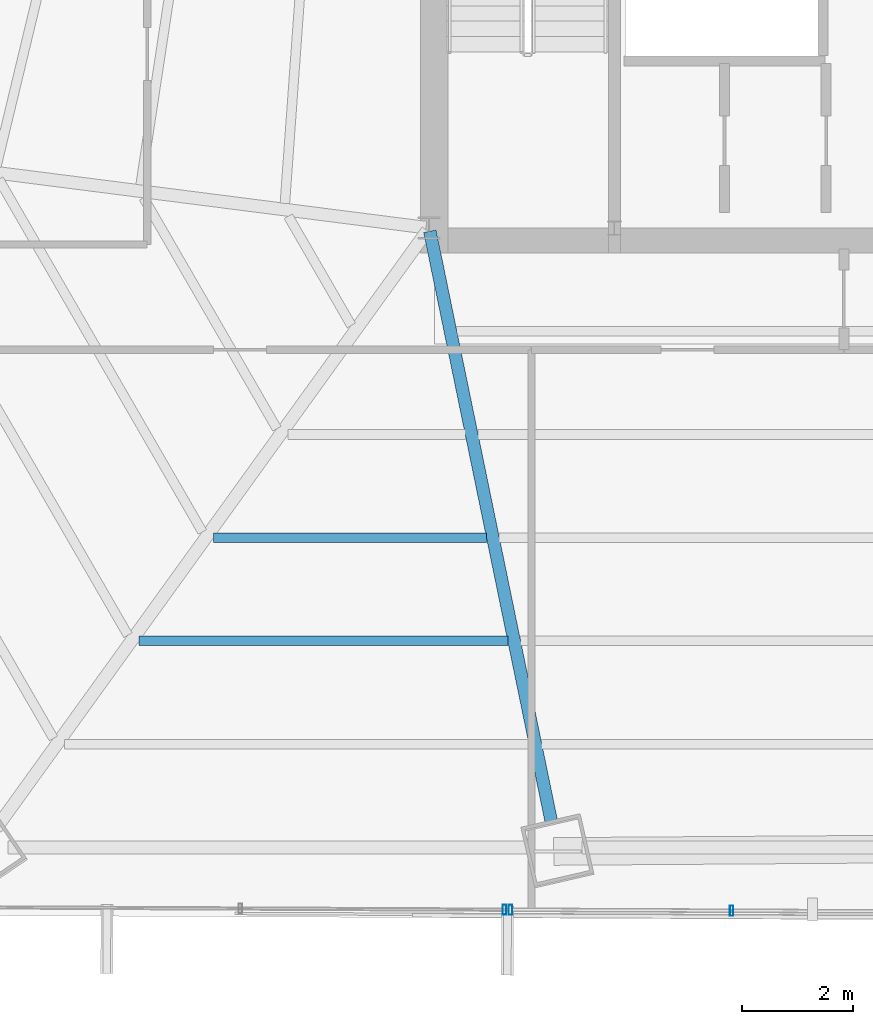
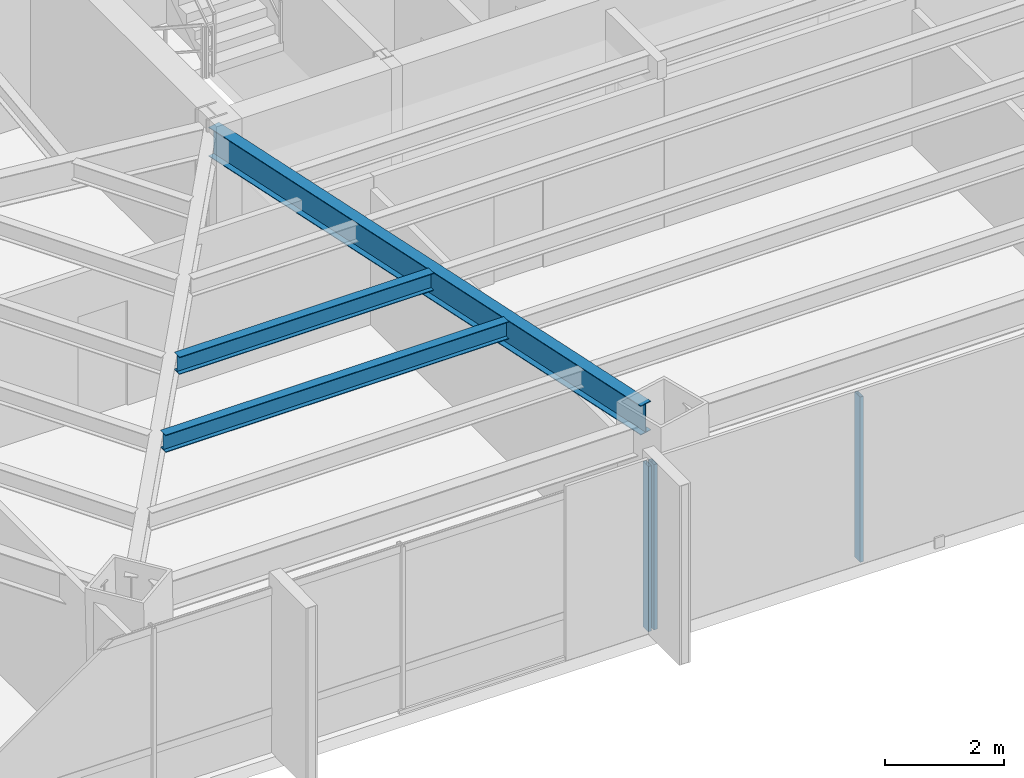
# One storey, part 9 of 35: 3 beams, 3 members, 2 elements without a shape of their own.
"""IFC4 building model written with IfcOpenShell, lengths in metres."""

import ifcopenshell
import ifcopenshell.guid

model = None  # the IFC model being written
_history = None  # IfcOwnerHistory: only IFC2X3 demands one
_inside = {}  # id of a spatial element -> (the spatial element, [elements in it])
_under = {}  # id of a project, library or spatial element -> (it, [spatial elements below it])
_declared = {}  # id of a project -> (the project, [libraries it declares])
_typed = {}  # id of a type object -> (the type object, [elements of that type])
_made_of = {}  # id of a material, layer set ... -> (it, [elements and type objects made of it])


def new_model(schema):
    """Start an empty IFC model of exactly this schema.

    Asked for "IFC4X3", IfcOpenShell would pick the latest addendum, in which some entities
    have other attributes; the version numbers below select the first issue.
    IFC2X3 requires an IfcOwnerHistory on every rooted entity: one is made here for all.
    """
    global model, _history
    if schema == "IFC4X3":
        model = ifcopenshell.file(schema_version=(4, 3, 0, 0))
    else:
        model = ifcopenshell.file(schema=schema)
    _inside.clear()
    _under.clear()
    _declared.clear()
    _typed.clear()
    _made_of.clear()
    _history = None
    if model.schema == "IFC2X3":
        org = make("IfcOrganization", Name="unknown")
        user = make(
            "IfcPersonAndOrganization",
            ThePerson=make("IfcPerson", FamilyName="unknown"),
            TheOrganization=org,
        )
        app = make(
            "IfcApplication",
            ApplicationDeveloper=org,
            Version="unknown",
            ApplicationFullName="unknown",
            ApplicationIdentifier="unknown",
        )
        _history = make(
            "IfcOwnerHistory",
            OwningUser=user,
            OwningApplication=app,
            ChangeAction="ADDED",
            CreationDate=0,
        )
    return model


def make(cls, **values):
    """One entity of the class cls with the attributes given. An attribute that is None is left unset."""
    return model.create_entity(
        cls, **{name: value for name, value in values.items() if value is not None}
    )


def rooted(cls, **values):
    """An entity with a GlobalId (a new one), such as an element, a storey or a relation."""
    return make(cls, GlobalId=ifcopenshell.guid.new(), OwnerHistory=_history, **values)


def si_unit(unit_type, name, prefix=None):
    """IfcSIUnit, for example si_unit("LENGTHUNIT", "METRE", prefix="MILLI")."""
    return make("IfcSIUnit", UnitType=unit_type, Prefix=prefix, Name=name)


def assignment(units):
    """IfcUnitAssignment: the units of a project."""
    return None if units is None else make("IfcUnitAssignment", Units=units)


def point(xyz):
    """IfcCartesianPoint."""
    return None if xyz is None else make("IfcCartesianPoint", Coordinates=xyz)


def direction(xyz):
    """IfcDirection."""
    return None if xyz is None else make("IfcDirection", DirectionRatios=xyz)


def frame(location, z_axis=None, x_axis=None):
    """IfcAxis2Placement3D, a coordinate frame: its origin and axes. An axis left out is left unset."""
    return make(
        "IfcAxis2Placement3D",
        Location=point(location),
        Axis=direction(z_axis),
        RefDirection=direction(x_axis),
    )


def frame_2d(location, x_axis=None):
    """IfcAxis2Placement2D, a coordinate frame in the plane: its origin and x axis."""
    return make(
        "IfcAxis2Placement2D", Location=point(location), RefDirection=direction(x_axis)
    )


def origin():
    """The frame at (0, 0, 0) with its axes left unset."""
    return frame((0.0, 0.0, 0.0))


def origin_2d():
    """The frame at (0, 0) in the plane with its x axis left unset."""
    return frame_2d((0.0, 0.0))


def place(relative_to, where):
    """IfcLocalPlacement: puts the frame where relative to a parent placement (None: the world)."""
    return make(
        "IfcLocalPlacement", PlacementRelTo=relative_to, RelativePlacement=where
    )


def context(
    kind, dimensions, precision=None, world=None, true_north=None, identifier=None
):
    """IfcGeometricRepresentationContext, for example the 3D "Model" context."""
    return make(
        "IfcGeometricRepresentationContext",
        ContextIdentifier=identifier,
        ContextType=kind,
        CoordinateSpaceDimension=dimensions,
        Precision=precision,
        WorldCoordinateSystem=world,
        TrueNorth=true_north,
    )


def subcontext(parent, identifier, kind, view, scale=None):
    """IfcGeometricRepresentationSubContext, for example "Body" below "Model"."""
    return make(
        "IfcGeometricRepresentationSubContext",
        ContextIdentifier=identifier,
        ContextType=kind,
        ParentContext=parent,
        TargetScale=scale,
        TargetView=view,
    )


def project(units=None, contexts=None):
    """IfcProject with its units and contexts."""
    return rooted(
        "IfcProject",
        Name="project",
        RepresentationContexts=contexts,
        UnitsInContext=assignment(units),
    )


def spatial(cls, under=None, at=None, **own):
    """A site, building, storey or space (cls), placed at a placement, below another one or the project."""
    s = rooted(cls, ObjectPlacement=at, **own)
    if under is not None:
        _under.setdefault(under.id(), (under, []))[1].append(s)
    return s


def profile(cls, at=None, kind="AREA", **sizes):
    """A parametric profile (cls). Its sizes go by their IFC names, for example OverallWidth=200.0."""
    return make(cls, ProfileType=kind, Position=at, **sizes)


def hollow_rectangle(**sizes):
    """IfcRectangleHollowProfileDef."""
    return profile("IfcRectangleHollowProfileDef", **sizes)


def i_section(**sizes):
    """IfcIShapeProfileDef."""
    return profile("IfcIShapeProfileDef", **sizes)


def extrude(swept, where, along, depth):
    """IfcExtrudedAreaSolid: the profile swept, set in the frame where, extruded along a direction by depth."""
    return make(
        "IfcExtrudedAreaSolid",
        SweptArea=swept,
        Position=where,
        ExtrudedDirection=direction(along),
        Depth=depth,
    )


def shape(context_of_items, identifier, shape_type, items):
    """IfcShapeRepresentation: the items that make up one representation, for example the "Body"."""
    return make(
        "IfcShapeRepresentation",
        ContextOfItems=context_of_items,
        RepresentationIdentifier=identifier,
        RepresentationType=shape_type,
        Items=items,
    )


def source(mapping_origin, context_of_items, identifier, shape_type, items):
    """IfcRepresentationMap: a shape defined once, which mapped items show again and again."""
    return make(
        "IfcRepresentationMap",
        MappingOrigin=mapping_origin,
        MappedRepresentation=shape(context_of_items, identifier, shape_type, items),
    )


def transform(
    local_origin,
    x_axis=None,
    y_axis=None,
    z_axis=None,
    scale=None,
    scale2=None,
    scale3=None,
    uniform=True,
):
    """IfcCartesianTransformationOperator3D, or its non-uniform kind. x_axis, y_axis, z_axis: its Axis1, 2, 3."""
    if uniform:
        return make(
            "IfcCartesianTransformationOperator3D",
            Axis1=direction(x_axis),
            Axis2=direction(y_axis),
            LocalOrigin=point(local_origin),
            Scale=scale,
            Axis3=direction(z_axis),
        )
    return make(
        "IfcCartesianTransformationOperator3DnonUniform",
        Axis1=direction(x_axis),
        Axis2=direction(y_axis),
        LocalOrigin=point(local_origin),
        Scale=scale,
        Axis3=direction(z_axis),
        Scale2=scale2,
        Scale3=scale3,
    )


def mapped(mapping_source, mapping_target):
    """IfcMappedItem: shows the shape of a source again, moved by a transform."""
    return make(
        "IfcMappedItem", MappingSource=mapping_source, MappingTarget=mapping_target
    )


def material(Name=None, Category=None):
    """IfcMaterial."""
    return make("IfcMaterial", Name=Name, Category=Category)


def material_profile(
    of_material, cross_section, Name=None, Category=None, Priority=None
):
    """IfcMaterialProfile: a cross section and its material."""
    return make(
        "IfcMaterialProfile",
        Name=Name,
        Material=of_material,
        Profile=cross_section,
        Priority=Priority,
        Category=Category,
    )


def profile_set(profiles, Name=None, composite=None):
    """IfcMaterialProfileSet."""
    return make(
        "IfcMaterialProfileSet",
        Name=Name,
        MaterialProfiles=profiles,
        CompositeProfile=composite,
    )


def made_of(thing, what):
    """Note that an element or type object is made of a material, layer set ...; save() writes the relation."""
    if what is not None:
        _made_of.setdefault(what.id(), (what, []))[1].append(thing)
    return thing


def type_object(cls, material=None, **own):
    """A type object (cls), such as IfcWallType, which elements share."""
    return made_of(rooted(cls, **own), material)


def type_shapes(of_type, sources):
    """Give a type object the sources (RepresentationMaps) that its elements show as mapped items."""
    of_type.RepresentationMaps = sources


def element(
    cls,
    number,
    at=None,
    inside=None,
    cuts=None,
    type_object=None,
    material=None,
    context=None,
    identifier="Body",
    shape_type=None,
    held_by="IfcProductDefinitionShape",
    body=None,
    shapes=None,
    **own,
):
    """One element of the class cls, such as IfcWall. Its Tag is "e" and its number.

    at: its placement. inside: the storey or other place that contains it. cuts: it is an
    opening in that element (IfcRelVoidsElement). A single representation is given by context,
    identifier, shape_type and body (its items); several are given by shapes. held_by: the class
    of the entity that holds the representations. save() writes the other relations.
    """
    e = rooted(cls, Tag="e%d" % number, ObjectPlacement=at, **own)
    if body is not None:
        shapes = [shape(context, identifier, shape_type, body)]
    if shapes is not None:
        e.Representation = make(held_by, Representations=shapes)
    if inside is not None:
        _inside.setdefault(inside.id(), (inside, []))[1].append(e)
    if cuts is not None:
        rooted(
            "IfcRelVoidsElement", RelatingBuildingElement=cuts, RelatedOpeningElement=e
        )
    if type_object is not None:
        _typed.setdefault(type_object.id(), (type_object, []))[1].append(e)
    return made_of(e, material)


def aggregate(whole, parts):
    """IfcRelAggregates: a whole, such as a stair, and the parts it consists of."""
    return rooted("IfcRelAggregates", RelatingObject=whole, RelatedObjects=parts)


def save(model, path):
    """Write the relations noted so far, then the file.

    IfcRelAggregates (storeys below a building ...), IfcRelContainedInSpatialStructure (elements
    in a storey), IfcRelDefinesByType, IfcRelAssociatesMaterial and IfcRelDeclares: one each for
    every whole, place, type object, material and project.
    """
    for whole, parts in _under.values():
        aggregate(whole, parts)
    for where, things in _inside.values():
        rooted(
            "IfcRelContainedInSpatialStructure",
            RelatedElements=things,
            RelatingStructure=where,
        )
    for kind, things in _typed.values():
        rooted("IfcRelDefinesByType", RelatedObjects=things, RelatingType=kind)
    for what, things in _made_of.values():
        rooted("IfcRelAssociatesMaterial", RelatedObjects=things, RelatingMaterial=what)
    for by, libraries in _declared.values():
        rooted("IfcRelDeclares", RelatingContext=by, RelatedDefinitions=libraries)
    model.write(path)


model = new_model("IFC4")

# Units and contexts
model_context = context("Model", 3, precision=1e-05, world=origin(), true_north=direction((0.0, 1.0)))
body_context = subcontext(model_context, "Body", "Model", "MODEL_VIEW")
ifc_project = project(units=[si_unit("LENGTHUNIT", "METRE"), si_unit("AREAUNIT", "SQUARE_METRE"), si_unit("VOLUMEUNIT", "CUBIC_METRE"), si_unit("PLANEANGLEUNIT", "RADIAN"), si_unit("MASSUNIT", "GRAM", prefix="KILO")], contexts=[model_context])

# Site, building, storey
site_placement = place(None, origin())
site = spatial("IfcSite", under=ifc_project, at=site_placement, CompositionType="ELEMENT")
building_placement = place(site_placement, origin())
building = spatial("IfcBuilding", under=site, at=building_placement, Name="Caelisora Broadcast Tower", CompositionType="ELEMENT")
storey_placement = place(building_placement, frame((0.0, 0.0, 94.449951171875)))
storey = spatial("IfcBuildingStorey", under=building, at=storey_placement, Name="L24", CompositionType="ELEMENT", Elevation=94.449951171875)

# Beams
ifc_material_1 = material(Name="Steel Grade 350 (AS/NZS 3679.1)", Category="steel")
ifc_material_profile_1 = material_profile(ifc_material_1, i_section(OverallWidth=0.22802734375, OverallDepth=0.602294921875, WebThickness=0.010498046875, FlangeThickness=0.014892578125, at=origin_2d()), Name="Steel Grade 350 (AS/NZS 3679.1)")
ifc_profile_set_1 = profile_set([ifc_material_profile_1], Name="Steel Grade 350 (AS/NZS 3679.1)")
beam_type_1 = type_object("IfcBeamType", Name="PG04", PredefinedType="BEAM", material=ifc_profile_set_1)
shared_shape_1 = source(origin(), body_context, "Body", "SweptSolid", [
    extrude(i_section(OverallWidth=0.22802734375, OverallDepth=0.602294921875, WebThickness=0.010498046875, FlangeThickness=0.014892578125, at=origin_2d()), origin(), (0.0, 0.0, 1.0), 10.958251953125),
])
type_shapes(beam_type_1, [shared_shape_1])
beam_1_placement = place(storey_placement, frame((30.51220703125, 17.34130859375, 3.098876953125), z_axis=(0.201580000439, -0.979472053416, 0.0), x_axis=(0.979472053416, 0.201580000439, 0.0)))
element("IfcBeam", 1, at=beam_1_placement, inside=storey, type_object=beam_type_1, Name="L24 beam PG04", PredefinedType="BEAM", context=body_context, shape_type="MappedRepresentation", body=[
    mapped(shared_shape_1, transform((0.0, 0.0, 0.0), scale=1.0)),
])
ifc_material_profile_2 = material_profile(ifc_material_1, i_section(OverallWidth=0.172119140625, OverallDepth=0.358642578125, WebThickness=0.008056640625, FlangeThickness=0.012939453125, at=origin_2d()), Name="Steel Grade 350 (AS/NZS 3679.1)")
ifc_profile_set_2 = profile_set([ifc_material_profile_2], Name="Steel Grade 350 (AS/NZS 3679.1)")
beam_type_2 = type_object("IfcBeamType", Name="SB02", PredefinedType="JOIST", material=ifc_profile_set_2)
shared_shape_2 = source(origin(), body_context, "Body", "SweptSolid", [
    extrude(i_section(OverallWidth=0.172119140625, OverallDepth=0.358642578125, WebThickness=0.008056640625, FlangeThickness=0.012939453125, at=origin_2d()), origin(), (0.0, 0.0, 1.0), 4.94287109375),
])
beam_2_placement = place(storey_placement, frame((26.5966796875, 11.798095703125, 3.220703125), z_axis=(1.0, 0.0, 0.0), x_axis=(0.0, 1.0, 0.0)))
element("IfcBeam", 2, at=beam_2_placement, inside=storey, type_object=beam_type_2, Name="L24 beam SB02", PredefinedType="JOIST", context=body_context, shape_type="MappedRepresentation", body=[
    mapped(shared_shape_2, transform((0.0, 0.0, 0.0), scale=1.0)),
])
shared_shape_3 = source(origin(), body_context, "Body", "SweptSolid", [
    extrude(i_section(OverallWidth=0.172119140625, OverallDepth=0.358642578125, WebThickness=0.008056640625, FlangeThickness=0.012939453125, at=origin_2d()), origin(), (0.0, 0.0, 1.0), 6.674072265625),
])
type_shapes(beam_type_2, [shared_shape_2, shared_shape_3])
beam_3_placement = place(storey_placement, frame((25.249755859375, 9.930908203125, 3.220703125), z_axis=(1.0, 0.0, 0.0), x_axis=(0.0, 1.0, 0.0)))
element("IfcBeam", 3, at=beam_3_placement, inside=storey, type_object=beam_type_2, Name="L24 beam SB02", PredefinedType="JOIST", context=body_context, shape_type="MappedRepresentation", body=[
    mapped(shared_shape_3, transform((0.0, 0.0, 0.0), scale=1.0)),
])

# Curtain wall, members
ifc_material_2 = material(Name="Unitised Aluminium Insulated Shadow-Box Spandrel Curtain Wall", Category="aluminium")
curtain_wall_type_1 = type_object("IfcCurtainWallType", Name="CW-SP1", PredefinedType="NOTDEFINED", material=ifc_material_2)
curtain_wall_1_placement = place(storey_placement, origin())
curtain_wall_1 = element("IfcCurtainWall", 4, at=curtain_wall_1_placement, inside=storey, type_object=curtain_wall_type_1, Name="L24 curtain wall CW-SP1", PredefinedType="NOTDEFINED")
ifc_material_3 = material(Name="Aluminium 6063-T6 Anodised Terracotta Bronze", Category="aluminium")
ifc_material_profile_3 = material_profile(ifc_material_3, hollow_rectangle(XDim=0.06494140625, YDim=0.179931640625, WallThickness=0.00341796875, at=origin_2d()), Name="Aluminium 6063-T6 Anodised Terracotta Bronze")
ifc_profile_set_3 = profile_set([ifc_material_profile_3], Name="Aluminium 6063-T6 Anodised Terracotta Bronze")
member_type = type_object("IfcMemberType", Name="CWM-02", PredefinedType="MULLION", material=ifc_profile_set_3)
shared_shape_4 = source(origin(), body_context, "Body", "SweptSolid", [
    extrude(hollow_rectangle(XDim=0.06494140625, YDim=0.179931640625, WallThickness=0.00341796875, at=origin_2d()), origin(), (0.0, 0.0, 1.0), 3.400146484375),
])
type_shapes(member_type, [shared_shape_4])
member_1_placement = place(storey_placement, frame((35.970947265625, 5.051513671875, 0.0), z_axis=(0.0, 0.0, 1.0), x_axis=(1.0, 0.0, 0.0)))
member_1 = element("IfcMember", 5, at=member_1_placement, type_object=member_type, Name="L24-CW-B06 mullion #2", PredefinedType="MULLION", context=body_context, shape_type="MappedRepresentation", body=[
    mapped(shared_shape_4, transform((0.0, 0.0, 0.0), scale=1.0)),
])
member_2_placement = place(storey_placement, frame((31.97265625, 5.06982421875, 0.0), z_axis=(0.0, 0.0, 1.0), x_axis=(1.0, 0.0, 0.0)))
member_2 = element("IfcMember", 6, at=member_2_placement, type_object=member_type, Name="L24-CW-B06 mullion #3", PredefinedType="MULLION", context=body_context, shape_type="MappedRepresentation", body=[
    mapped(shared_shape_4, transform((0.0, 0.0, 0.0), scale=1.0)),
])
aggregate(curtain_wall_1, [member_1, member_2])

# Curtain wall, member
ifc_material_4 = material(Name="Unitised Aluminium and Low-E Glass Curtain Wall", Category="glass")
curtain_wall_type_2 = type_object("IfcCurtainWallType", Name="CW-Z2", PredefinedType="NOTDEFINED", material=ifc_material_4)
curtain_wall_2_placement = place(storey_placement, origin())
curtain_wall_2 = element("IfcCurtainWall", 7, at=curtain_wall_2_placement, inside=storey, type_object=curtain_wall_type_2, Name="L24 curtain wall CW-Z2", PredefinedType="NOTDEFINED")
member_3_placement = place(storey_placement, frame((31.862548828125, 5.0703125, 0.0), z_axis=(0.0, 0.0, 1.0), x_axis=(1.0, 0.0, 0.0)))
member_3 = element("IfcMember", 8, at=member_3_placement, type_object=member_type, Name="L24-CW-B07 mullion #0", PredefinedType="MULLION", context=body_context, shape_type="MappedRepresentation", body=[
    mapped(shared_shape_4, transform((0.0, 0.0, 0.0), scale=1.0)),
])
aggregate(curtain_wall_2, [member_3])

save(model, "model.ifc")
